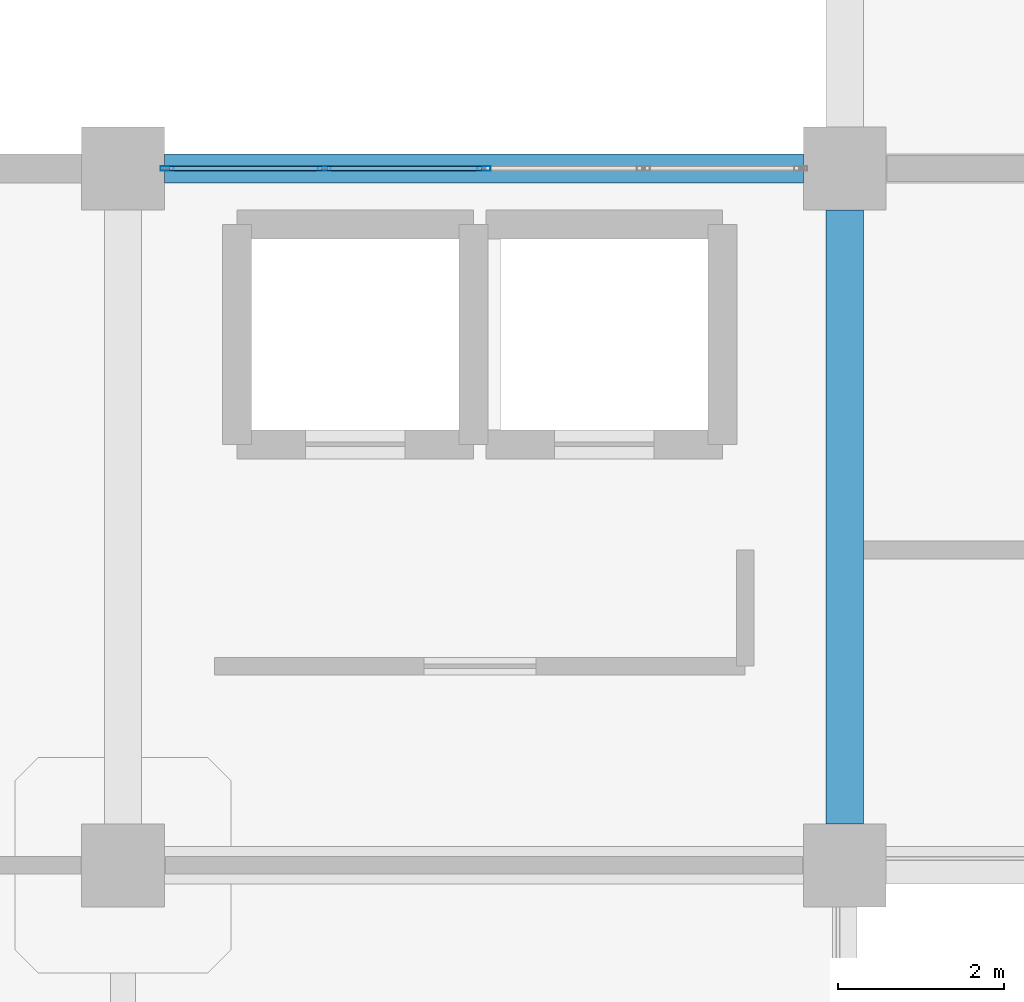
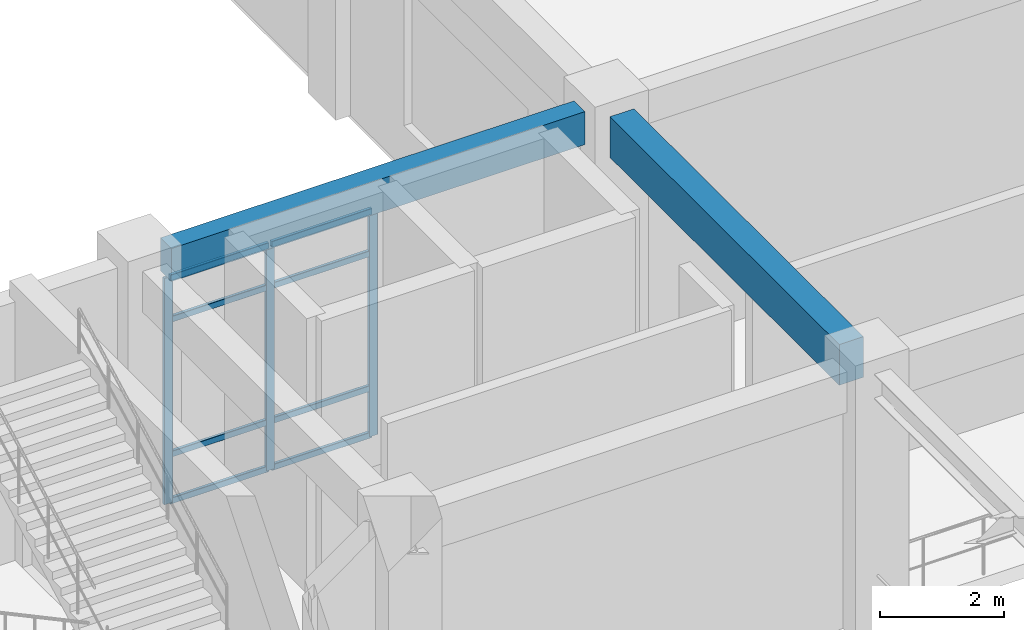
# One storey, part 40 of 114: 11 members, 2 beams, 1 element without a shape of its own.
"""IFC4 building model written with IfcOpenShell, lengths in metres."""

from ifc_helpers import new_model, si_unit, derived_unit, direction, frame, origin, origin_2d, place, context, subcontext, project, spatial, rectangle, hollow_rectangle, extrude, material, layer, layer_set, material_profile, profile_set, type_object, element, aggregate, save


model = new_model("IFC4")

# Units and contexts
model_context = context("Model", 3, precision=1e-05, world=origin(), true_north=direction((0.0, 1.0)))
body_context = subcontext(model_context, "Body", "Model", "MODEL_VIEW")
ifc_project = project(units=[si_unit("LENGTHUNIT", "METRE"), si_unit("AREAUNIT", "SQUARE_METRE"), si_unit("VOLUMEUNIT", "CUBIC_METRE"), si_unit("PLANEANGLEUNIT", "RADIAN"), si_unit("MASSUNIT", "GRAM", prefix="KILO"), derived_unit("THERMALTRANSMITTANCEUNIT", [(si_unit("MASSUNIT", "GRAM", prefix="KILO"), 1), (si_unit("TIMEUNIT", "SECOND"), -3), (si_unit("THERMODYNAMICTEMPERATUREUNIT", "KELVIN"), -1)])], contexts=[model_context])

# Site, building, storey
site_placement = place(None, origin())
site = spatial("IfcSite", under=ifc_project, at=site_placement, CompositionType="ELEMENT")
building_placement = place(site_placement, origin())
building = spatial("IfcBuilding", under=site, at=building_placement, Name="Qinzheling Arcade Emporium", CompositionType="ELEMENT")
storey_placement = place(building_placement, frame((0.0, 0.0, 6.0)))
storey = spatial("IfcBuildingStorey", under=building, at=storey_placement, Name="L02", CompositionType="ELEMENT", Elevation=6.0)

# Curtain wall, members
ifc_material_1 = material(Name="Anodised aluminium and solar-control double glazing", Category="aluminium")
ifc_layer = layer(ifc_material_1, 0.159912109375, Name="Anodised aluminium and solar-control double glazing", Category="aluminium")
ifc_layer_set = layer_set([ifc_layer], Name="Anodised aluminium and solar-control double glazing")
curtain_wall_type = type_object("IfcCurtainWallType", Name="Atrium Clerestory Curtain Wall", PredefinedType="NOTDEFINED", material=ifc_layer_set)
curtain_wall_placement = place(storey_placement, origin())
curtain_wall = element("IfcCurtainWall", 1, at=curtain_wall_placement, inside=storey, type_object=curtain_wall_type, Name="Curtain Wall CW-L02-093", PredefinedType="NOTDEFINED")
ifc_material_2 = material(Name="Anodised aluminium 6063-T6", Category="aluminium")
ifc_material_profile_1 = material_profile(ifc_material_2, hollow_rectangle(XDim=0.06005859375, YDim=0.159912109375, WallThickness=0.00390625, InnerFilletRadius=0.00390625, OuterFilletRadius=0.008056640625, at=origin_2d()), Name="RHS 160x60x4", Category="aluminium")
ifc_profile_set_1 = profile_set([ifc_material_profile_1], Name="Anodised aluminium 6063-T6")
member_type_1 = type_object("IfcMemberType", Name="Curtain Wall Mullion RHS160x60", PredefinedType="MULLION", material=ifc_profile_set_1)
member_1_placement = place(storey_placement, frame((44.031982421875, 73.800048828125, 0.0), z_axis=(0.0, 0.0, 1.0), x_axis=(0.0, 1.0, 0.0)))
member_1 = element("IfcMember", 2, at=member_1_placement, type_object=member_type_1, Name="CW03 mullion 1", PredefinedType="MULLION", context=body_context, shape_type="SweptSolid", body=[
    extrude(hollow_rectangle(XDim=0.06005859375, YDim=0.159912109375, WallThickness=0.00390625, InnerFilletRadius=0.00390625, OuterFilletRadius=0.008056640625, at=origin_2d()), origin(), (0.0, 0.0, 1.0), 4.455078125),
])
member_2_placement = place(storey_placement, frame((45.926025390625, 73.800048828125, 0.0), z_axis=(0.0, 0.0, 1.0), x_axis=(0.0, 1.0, 0.0)))
member_2 = element("IfcMember", 3, at=member_2_placement, type_object=member_type_1, Name="CW03 mullion 2", PredefinedType="MULLION", context=body_context, shape_type="SweptSolid", body=[
    extrude(hollow_rectangle(XDim=0.06005859375, YDim=0.159912109375, WallThickness=0.00390625, InnerFilletRadius=0.00390625, OuterFilletRadius=0.008056640625, at=origin_2d()), origin(), (0.0, 0.0, 1.0), 4.455078125),
])
member_3_placement = place(storey_placement, frame((47.85009765625, 73.800048828125, 0.0), z_axis=(0.0, 0.0, 1.0), x_axis=(0.0, 1.0, 0.0)))
member_3 = element("IfcMember", 4, at=member_3_placement, type_object=member_type_1, Name="CW03 mullion 3", PredefinedType="MULLION", context=body_context, shape_type="SweptSolid", body=[
    extrude(hollow_rectangle(XDim=0.06005859375, YDim=0.159912109375, WallThickness=0.00390625, InnerFilletRadius=0.00390625, OuterFilletRadius=0.008056640625, at=origin_2d()), origin(), (0.0, 0.0, 1.0), 4.455078125),
])
ifc_material_profile_2 = material_profile(ifc_material_2, hollow_rectangle(XDim=0.06005859375, YDim=0.1201171875, WallThickness=0.00390625, InnerFilletRadius=0.00390625, OuterFilletRadius=0.008056640625, at=origin_2d()), Name="RHS 120x60x4", Category="aluminium")
ifc_profile_set_2 = profile_set([ifc_material_profile_2], Name="Anodised aluminium 6063-T6")
member_type_2 = type_object("IfcMemberType", Name="Curtain Wall Transom RHS120x60", PredefinedType="USERDEFINED", material=ifc_profile_set_2)
member_4_placement = place(storey_placement, frame((44.06201171875, 73.800048828125, 0.030029296875), z_axis=(1.0, 0.0, 0.0), x_axis=(0.0, 1.0, 0.0)))
member_4 = element("IfcMember", 5, at=member_4_placement, type_object=member_type_2, Name="CW03 transom 1.1", ObjectType="TRANSOM", PredefinedType="USERDEFINED", context=body_context, shape_type="SweptSolid", body=[
    extrude(hollow_rectangle(XDim=0.06005859375, YDim=0.1201171875, WallThickness=0.00390625, InnerFilletRadius=0.00390625, OuterFilletRadius=0.008056640625, at=origin_2d()), origin(), (0.0, 0.0, 1.0), 1.833984375),
])
member_5_placement = place(storey_placement, frame((44.06201171875, 73.800048828125, 0.949951171875), z_axis=(1.0, 0.0, 0.0), x_axis=(0.0, 1.0, 0.0)))
member_5 = element("IfcMember", 6, at=member_5_placement, type_object=member_type_2, Name="CW03 transom 1.2", ObjectType="TRANSOM", PredefinedType="USERDEFINED", context=body_context, shape_type="SweptSolid", body=[
    extrude(hollow_rectangle(XDim=0.06005859375, YDim=0.1201171875, WallThickness=0.00390625, InnerFilletRadius=0.00390625, OuterFilletRadius=0.008056640625, at=origin_2d()), origin(), (0.0, 0.0, 1.0), 1.833984375),
])
member_6_placement = place(storey_placement, frame((44.06201171875, 73.800048828125, 3.60498046875), z_axis=(1.0, 0.0, 0.0), x_axis=(0.0, 1.0, 0.0)))
member_6 = element("IfcMember", 7, at=member_6_placement, type_object=member_type_2, Name="CW03 transom 1.3", ObjectType="TRANSOM", PredefinedType="USERDEFINED", context=body_context, shape_type="SweptSolid", body=[
    extrude(hollow_rectangle(XDim=0.06005859375, YDim=0.1201171875, WallThickness=0.00390625, InnerFilletRadius=0.00390625, OuterFilletRadius=0.008056640625, at=origin_2d()), origin(), (0.0, 0.0, 1.0), 1.833984375),
])
member_7_placement = place(storey_placement, frame((44.06201171875, 73.800048828125, 4.425048828125), z_axis=(1.0, 0.0, 0.0), x_axis=(0.0, 1.0, 0.0)))
member_7 = element("IfcMember", 8, at=member_7_placement, type_object=member_type_2, Name="CW03 transom 1.4", ObjectType="TRANSOM", PredefinedType="USERDEFINED", context=body_context, shape_type="SweptSolid", body=[
    extrude(hollow_rectangle(XDim=0.06005859375, YDim=0.1201171875, WallThickness=0.00390625, InnerFilletRadius=0.00390625, OuterFilletRadius=0.008056640625, at=origin_2d()), origin(), (0.0, 0.0, 1.0), 1.833984375),
])
member_8_placement = place(storey_placement, frame((45.9560546875, 73.800048828125, 0.030029296875), z_axis=(1.0, 0.0, 0.0), x_axis=(0.0, 1.0, 0.0)))
member_8 = element("IfcMember", 9, at=member_8_placement, type_object=member_type_2, Name="CW03 transom 2.1", ObjectType="TRANSOM", PredefinedType="USERDEFINED", context=body_context, shape_type="SweptSolid", body=[
    extrude(hollow_rectangle(XDim=0.06005859375, YDim=0.1201171875, WallThickness=0.00390625, InnerFilletRadius=0.00390625, OuterFilletRadius=0.008056640625, at=origin_2d()), origin(), (0.0, 0.0, 1.0), 1.864013671875),
])
member_9_placement = place(storey_placement, frame((45.9560546875, 73.800048828125, 0.949951171875), z_axis=(1.0, 0.0, 0.0), x_axis=(0.0, 1.0, 0.0)))
member_9 = element("IfcMember", 10, at=member_9_placement, type_object=member_type_2, Name="CW03 transom 2.2", ObjectType="TRANSOM", PredefinedType="USERDEFINED", context=body_context, shape_type="SweptSolid", body=[
    extrude(hollow_rectangle(XDim=0.06005859375, YDim=0.1201171875, WallThickness=0.00390625, InnerFilletRadius=0.00390625, OuterFilletRadius=0.008056640625, at=origin_2d()), origin(), (0.0, 0.0, 1.0), 1.864013671875),
])
member_10_placement = place(storey_placement, frame((45.9560546875, 73.800048828125, 3.60498046875), z_axis=(1.0, 0.0, 0.0), x_axis=(0.0, 1.0, 0.0)))
member_10 = element("IfcMember", 11, at=member_10_placement, type_object=member_type_2, Name="CW03 transom 2.3", ObjectType="TRANSOM", PredefinedType="USERDEFINED", context=body_context, shape_type="SweptSolid", body=[
    extrude(hollow_rectangle(XDim=0.06005859375, YDim=0.1201171875, WallThickness=0.00390625, InnerFilletRadius=0.00390625, OuterFilletRadius=0.008056640625, at=origin_2d()), origin(), (0.0, 0.0, 1.0), 1.864013671875),
])
member_11_placement = place(storey_placement, frame((45.9560546875, 73.800048828125, 4.425048828125), z_axis=(1.0, 0.0, 0.0), x_axis=(0.0, 1.0, 0.0)))
member_11 = element("IfcMember", 12, at=member_11_placement, type_object=member_type_2, Name="CW03 transom 2.4", ObjectType="TRANSOM", PredefinedType="USERDEFINED", context=body_context, shape_type="SweptSolid", body=[
    extrude(hollow_rectangle(XDim=0.06005859375, YDim=0.1201171875, WallThickness=0.00390625, InnerFilletRadius=0.00390625, OuterFilletRadius=0.008056640625, at=origin_2d()), origin(), (0.0, 0.0, 1.0), 1.864013671875),
])
aggregate(curtain_wall, [member_1, member_2, member_3, member_4, member_5, member_6, member_7, member_8, member_9, member_10, member_11])

# Beams
ifc_material_3 = material(Name="Concrete C40", Category="concrete")
ifc_material_profile_3 = material_profile(ifc_material_3, rectangle(XDim=0.449951171875, YDim=0.800048828125, at=origin_2d()), Name="RC 450x800", Category="concrete")
ifc_profile_set_3 = profile_set([ifc_material_profile_3], Name="Concrete C40")
beam_type_1 = type_object("IfcBeamType", Name="RC Primary Frame Beam 450x800 C40", PredefinedType="BEAM", material=ifc_profile_set_3)
beam_1_placement = place(storey_placement, frame((52.199951171875, 65.89990234375, 4.719970703125), z_axis=(0.0, 1.0, 0.0), x_axis=(-1.0, 0.0, 0.0)))
element("IfcBeam", 13, at=beam_1_placement, inside=storey, type_object=beam_type_1, Name="Beam BM-L02-Y-7-H", PredefinedType="BEAM", context=body_context, shape_type="SweptSolid", body=[
    extrude(rectangle(XDim=0.449951171875, YDim=0.800048828125, at=origin_2d()), origin(), (0.0, 0.0, 1.0), 7.400146484375),
])
ifc_material_profile_4 = material_profile(ifc_material_3, rectangle(XDim=0.35009765625, YDim=0.64990234375, at=origin_2d()), Name="RC 350x650", Category="concrete")
ifc_profile_set_4 = profile_set([ifc_material_profile_4], Name="Concrete C40")
beam_type_2 = type_object("IfcBeamType", Name="RC Spandrel Edge Beam 350x650 C40", PredefinedType="SPANDREL", material=ifc_profile_set_4)
beam_2_placement = place(storey_placement, frame((44.0, 73.800048828125, 4.794921875), z_axis=(1.0, 0.0, 0.0), x_axis=(0.0, 1.0, 0.0)))
element("IfcBeam", 14, at=beam_2_placement, inside=storey, type_object=beam_type_2, Name="Beam BM-L02-X-J-6", PredefinedType="SPANDREL", context=body_context, shape_type="SweptSolid", body=[
    extrude(rectangle(XDim=0.35009765625, YDim=0.64990234375, at=origin_2d()), origin(), (0.0, 0.0, 1.0), 7.699951171875),
])

save(model, "model.ifc")
